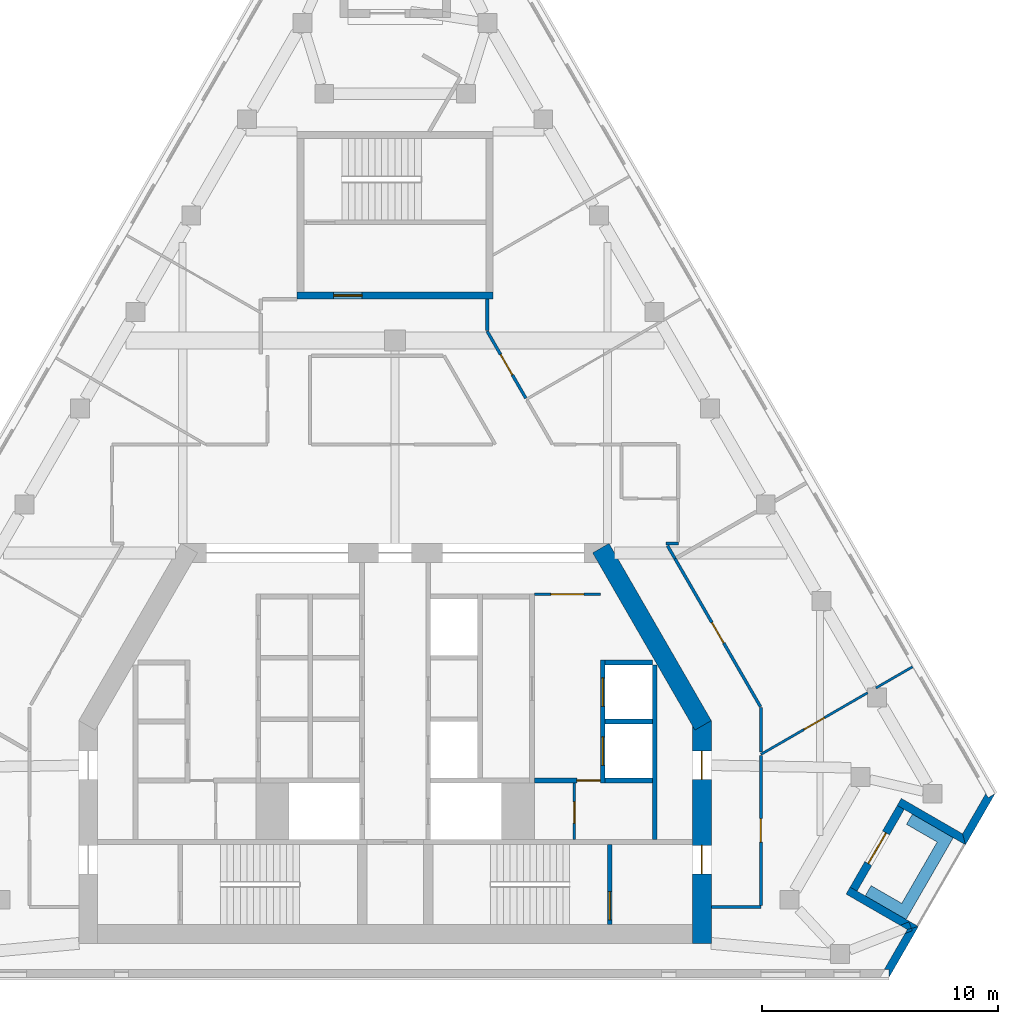
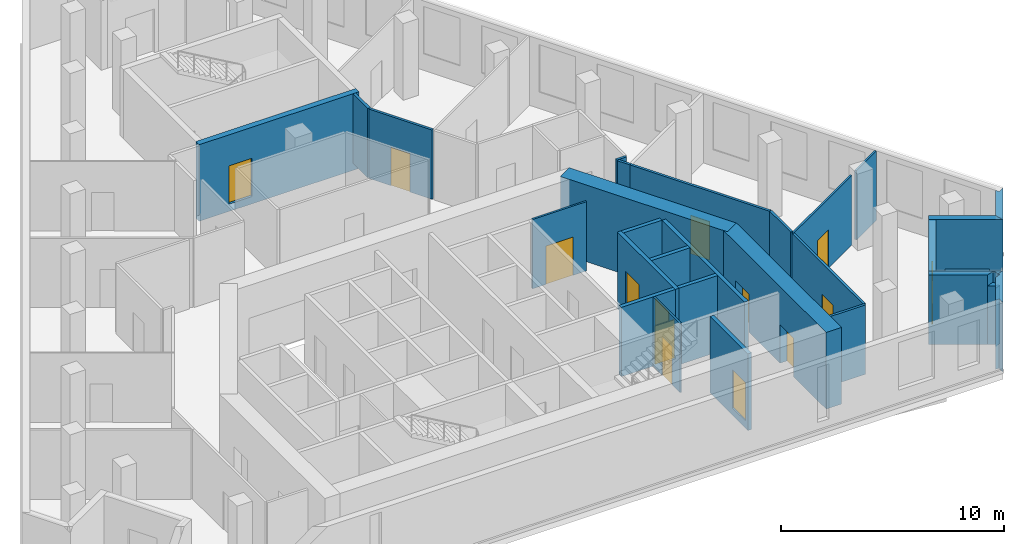
# One storey, part 5 of 9: 30 walls, 14 doors, 14 openings.
"""IFC4 building model written with IfcOpenShell, lengths in metres."""

import ifcopenshell
import ifcopenshell.guid

model = None  # the IFC model being written
_history = None  # IfcOwnerHistory: only IFC2X3 demands one
_inside = {}  # id of a spatial element -> (the spatial element, [elements in it])
_under = {}  # id of a project, library or spatial element -> (it, [spatial elements below it])
_declared = {}  # id of a project -> (the project, [libraries it declares])
_typed = {}  # id of a type object -> (the type object, [elements of that type])
_made_of = {}  # id of a material, layer set ... -> (it, [elements and type objects made of it])


def new_model(schema):
    """Start an empty IFC model of exactly this schema.

    Asked for "IFC4X3", IfcOpenShell would pick the latest addendum, in which some entities
    have other attributes; the version numbers below select the first issue.
    IFC2X3 requires an IfcOwnerHistory on every rooted entity: one is made here for all.
    """
    global model, _history
    if schema == "IFC4X3":
        model = ifcopenshell.file(schema_version=(4, 3, 0, 0))
    else:
        model = ifcopenshell.file(schema=schema)
    _inside.clear()
    _under.clear()
    _declared.clear()
    _typed.clear()
    _made_of.clear()
    _history = None
    if model.schema == "IFC2X3":
        org = make("IfcOrganization", Name="unknown")
        user = make(
            "IfcPersonAndOrganization",
            ThePerson=make("IfcPerson", FamilyName="unknown"),
            TheOrganization=org,
        )
        app = make(
            "IfcApplication",
            ApplicationDeveloper=org,
            Version="unknown",
            ApplicationFullName="unknown",
            ApplicationIdentifier="unknown",
        )
        _history = make(
            "IfcOwnerHistory",
            OwningUser=user,
            OwningApplication=app,
            ChangeAction="ADDED",
            CreationDate=0,
        )
    return model


def make(cls, **values):
    """One entity of the class cls with the attributes given. An attribute that is None is left unset."""
    return model.create_entity(
        cls, **{name: value for name, value in values.items() if value is not None}
    )


def rooted(cls, **values):
    """An entity with a GlobalId (a new one), such as an element, a storey or a relation."""
    return make(cls, GlobalId=ifcopenshell.guid.new(), OwnerHistory=_history, **values)


def si_unit(unit_type, name, prefix=None):
    """IfcSIUnit, for example si_unit("LENGTHUNIT", "METRE", prefix="MILLI")."""
    return make("IfcSIUnit", UnitType=unit_type, Prefix=prefix, Name=name)


def assignment(units):
    """IfcUnitAssignment: the units of a project."""
    return None if units is None else make("IfcUnitAssignment", Units=units)


def point(xyz):
    """IfcCartesianPoint."""
    return None if xyz is None else make("IfcCartesianPoint", Coordinates=xyz)


def direction(xyz):
    """IfcDirection."""
    return None if xyz is None else make("IfcDirection", DirectionRatios=xyz)


def frame(location, z_axis=None, x_axis=None):
    """IfcAxis2Placement3D, a coordinate frame: its origin and axes. An axis left out is left unset."""
    return make(
        "IfcAxis2Placement3D",
        Location=point(location),
        Axis=direction(z_axis),
        RefDirection=direction(x_axis),
    )


def frame_2d(location, x_axis=None):
    """IfcAxis2Placement2D, a coordinate frame in the plane: its origin and x axis."""
    return make(
        "IfcAxis2Placement2D", Location=point(location), RefDirection=direction(x_axis)
    )


def origin():
    """The frame at (0, 0, 0) with its axes left unset."""
    return frame((0.0, 0.0, 0.0))


def place(relative_to, where):
    """IfcLocalPlacement: puts the frame where relative to a parent placement (None: the world)."""
    return make(
        "IfcLocalPlacement", PlacementRelTo=relative_to, RelativePlacement=where
    )


def context(
    kind, dimensions, precision=None, world=None, true_north=None, identifier=None
):
    """IfcGeometricRepresentationContext, for example the 3D "Model" context."""
    return make(
        "IfcGeometricRepresentationContext",
        ContextIdentifier=identifier,
        ContextType=kind,
        CoordinateSpaceDimension=dimensions,
        Precision=precision,
        WorldCoordinateSystem=world,
        TrueNorth=true_north,
    )


def subcontext(parent, identifier, kind, view, scale=None):
    """IfcGeometricRepresentationSubContext, for example "Body" below "Model"."""
    return make(
        "IfcGeometricRepresentationSubContext",
        ContextIdentifier=identifier,
        ContextType=kind,
        ParentContext=parent,
        TargetScale=scale,
        TargetView=view,
    )


def project(units=None, contexts=None):
    """IfcProject with its units and contexts."""
    return rooted(
        "IfcProject",
        Name="project",
        RepresentationContexts=contexts,
        UnitsInContext=assignment(units),
    )


def spatial(cls, under=None, at=None, **own):
    """A site, building, storey or space (cls), placed at a placement, below another one or the project."""
    s = rooted(cls, ObjectPlacement=at, **own)
    if under is not None:
        _under.setdefault(under.id(), (under, []))[1].append(s)
    return s


def polyline(points):
    """IfcPolyline through the points."""
    return make("IfcPolyline", Points=[point(p) for p in points])


def profile(cls, at=None, kind="AREA", **sizes):
    """A parametric profile (cls). Its sizes go by their IFC names, for example OverallWidth=200.0."""
    return make(cls, ProfileType=kind, Position=at, **sizes)


def rectangle(**sizes):
    """IfcRectangleProfileDef."""
    return profile("IfcRectangleProfileDef", **sizes)


def outline(outer, holes=None, kind="AREA"):
    """IfcArbitraryClosedProfileDef: a profile drawn as a closed curve; with holes, ...WithVoids."""
    if holes is None:
        return make("IfcArbitraryClosedProfileDef", ProfileType=kind, OuterCurve=outer)
    return make(
        "IfcArbitraryProfileDefWithVoids",
        ProfileType=kind,
        OuterCurve=outer,
        InnerCurves=holes,
    )


def extrude(swept, where, along, depth):
    """IfcExtrudedAreaSolid: the profile swept, set in the frame where, extruded along a direction by depth."""
    return make(
        "IfcExtrudedAreaSolid",
        SweptArea=swept,
        Position=where,
        ExtrudedDirection=direction(along),
        Depth=depth,
    )


def shape(context_of_items, identifier, shape_type, items):
    """IfcShapeRepresentation: the items that make up one representation, for example the "Body"."""
    return make(
        "IfcShapeRepresentation",
        ContextOfItems=context_of_items,
        RepresentationIdentifier=identifier,
        RepresentationType=shape_type,
        Items=items,
    )


def material(Name=None, Category=None):
    """IfcMaterial."""
    return make("IfcMaterial", Name=Name, Category=Category)


def layer(
    of_material, thickness, ventilated=None, Name=None, Category=None, Priority=None
):
    """IfcMaterialLayer: one layer of a wall or slab, of a material (None: an air gap)."""
    return make(
        "IfcMaterialLayer",
        Material=of_material,
        LayerThickness=thickness,
        IsVentilated=ventilated,
        Name=Name,
        Category=Category,
        Priority=Priority,
    )


def layer_set(layers, Name=None):
    """IfcMaterialLayerSet."""
    return make("IfcMaterialLayerSet", MaterialLayers=layers, LayerSetName=Name)


def made_of(thing, what):
    """Note that an element or type object is made of a material, layer set ...; save() writes the relation."""
    if what is not None:
        _made_of.setdefault(what.id(), (what, []))[1].append(thing)
    return thing


def type_object(cls, material=None, **own):
    """A type object (cls), such as IfcWallType, which elements share."""
    return made_of(rooted(cls, **own), material)


def element(
    cls,
    number,
    at=None,
    inside=None,
    cuts=None,
    type_object=None,
    material=None,
    context=None,
    identifier="Body",
    shape_type=None,
    held_by="IfcProductDefinitionShape",
    body=None,
    shapes=None,
    **own,
):
    """One element of the class cls, such as IfcWall. Its Tag is "e" and its number.

    at: its placement. inside: the storey or other place that contains it. cuts: it is an
    opening in that element (IfcRelVoidsElement). A single representation is given by context,
    identifier, shape_type and body (its items); several are given by shapes. held_by: the class
    of the entity that holds the representations. save() writes the other relations.
    """
    e = rooted(cls, Tag="e%d" % number, ObjectPlacement=at, **own)
    if body is not None:
        shapes = [shape(context, identifier, shape_type, body)]
    if shapes is not None:
        e.Representation = make(held_by, Representations=shapes)
    if inside is not None:
        _inside.setdefault(inside.id(), (inside, []))[1].append(e)
    if cuts is not None:
        rooted(
            "IfcRelVoidsElement", RelatingBuildingElement=cuts, RelatedOpeningElement=e
        )
    if type_object is not None:
        _typed.setdefault(type_object.id(), (type_object, []))[1].append(e)
    return made_of(e, material)


def fill(opening, filler):
    """IfcRelFillsElement: the door or window that sits in an opening."""
    return rooted(
        "IfcRelFillsElement",
        RelatingOpeningElement=opening,
        RelatedBuildingElement=filler,
    )


def aggregate(whole, parts):
    """IfcRelAggregates: a whole, such as a stair, and the parts it consists of."""
    return rooted("IfcRelAggregates", RelatingObject=whole, RelatedObjects=parts)


def save(model, path):
    """Write the relations noted so far, then the file.

    IfcRelAggregates (storeys below a building ...), IfcRelContainedInSpatialStructure (elements
    in a storey), IfcRelDefinesByType, IfcRelAssociatesMaterial and IfcRelDeclares: one each for
    every whole, place, type object, material and project.
    """
    for whole, parts in _under.values():
        aggregate(whole, parts)
    for where, things in _inside.values():
        rooted(
            "IfcRelContainedInSpatialStructure",
            RelatedElements=things,
            RelatingStructure=where,
        )
    for kind, things in _typed.values():
        rooted("IfcRelDefinesByType", RelatedObjects=things, RelatingType=kind)
    for what, things in _made_of.values():
        rooted("IfcRelAssociatesMaterial", RelatedObjects=things, RelatingMaterial=what)
    for by, libraries in _declared.values():
        rooted("IfcRelDeclares", RelatingContext=by, RelatedDefinitions=libraries)
    model.write(path)


model = new_model("IFC4")

# Units and contexts
model_context = context("Model", 3, precision=1e-05, world=origin(), true_north=direction((0.0, 1.0)))
body_context = subcontext(model_context, "Body", "Model", "MODEL_VIEW")
ifc_project = project(units=[si_unit("LENGTHUNIT", "METRE"), si_unit("AREAUNIT", "SQUARE_METRE"), si_unit("VOLUMEUNIT", "CUBIC_METRE"), si_unit("PLANEANGLEUNIT", "RADIAN"), si_unit("MASSUNIT", "GRAM", prefix="KILO")], contexts=[model_context])

# Site, building, storey
site_placement = place(None, origin())
site = spatial("IfcSite", under=ifc_project, at=site_placement, CompositionType="ELEMENT")
building_placement = place(site_placement, origin())
building = spatial("IfcBuilding", under=site, at=building_placement, Name="Fogline Exchange Tower", CompositionType="ELEMENT")
storey_placement = place(building_placement, frame((0.0, 0.0, 287.699951171875)))
storey = spatial("IfcBuildingStorey", under=building, at=storey_placement, Name="L65", CompositionType="ELEMENT", Elevation=287.699951171875)

# Wall, opening, door
ifc_material_1 = material(Name="Blockwork partition", Category="masonry")
ifc_layer_1 = layer(ifc_material_1, 0.10009765625)
ifc_layer_set_1 = layer_set([ifc_layer_1], Name="CW10")
wall_type_1 = type_object("IfcWallType", Name="CW10", PredefinedType="PARTITIONING", material=ifc_layer_set_1)
wall_1_placement = place(storey_placement, frame((5.89990234375, 16.25, 0.0), z_axis=(0.0, 0.0, 1.0), x_axis=(1.0, 0.0, 0.0)))
wall_1 = element("IfcWall", 1, at=wall_1_placement, inside=storey, type_object=wall_type_1, Name="Lift lobby partition", PredefinedType="PARTITIONING", context=body_context, shape_type="SweptSolid", body=[
    extrude(rectangle(XDim=2.800048828125, YDim=0.10009765625, at=frame_2d((1.39990234375, 0.0))), origin(), (0.0, 0.0, 1.0), 3.800048828125),
])
opening_1_placement = place(wall_1_placement, frame((0.699951171875, 0.0, 0.0)))
opening_1 = element("IfcOpeningElement", 2, at=opening_1_placement, cuts=wall_1, Name="Opening T20-C017", PredefinedType="OPENING", context=body_context, shape_type="SweptSolid", body=[
    extrude(rectangle(XDim=1.39990234375, YDim=2.10009765625, at=frame_2d((0.699951171875, 1.050048828125))), frame((0.0, 0.06005859375, 0.0), z_axis=(0.0, -1.0, 0.0), x_axis=(1.0, 0.0, 0.0)), (0.0, 0.0, 1.0), 0.1201171875),
])
ifc_material_2 = material(Name="Steel and timber fire door", Category="steel")
door_type_1 = type_object("IfcDoorType", Name="D-LB1", OperationType="DOUBLE_DOOR_SINGLE_SWING", PredefinedType="DOOR", material=ifc_material_2)
door_1_placement = place(opening_1_placement, origin())
door_1 = element("IfcDoor", 3, at=door_1_placement, inside=storey, type_object=door_type_1, Name="Door to lift lobby", OperationType="DOUBLE_DOOR_SINGLE_SWING", OverallHeight=2.10009765625, OverallWidth=1.39990234375, PredefinedType="DOOR", context=body_context, shape_type="SweptSolid", body=[
    extrude(rectangle(XDim=1.39990234375, YDim=2.10009765625, at=frame_2d((0.699951171875, 1.050048828125))), frame((0.0, 0.02490234375, 0.0), z_axis=(0.0, -1.0, 0.0), x_axis=(1.0, 0.0, 0.0)), (0.0, 0.0, 1.0), 0.050048828125),
])
fill(opening_1, door_1)

wall_2_placement = place(storey_placement, frame((7.60009765625, 5.85009765625, 0.0), z_axis=(0.0, 0.0, 1.0), x_axis=(0.0, 1.0, 0.0)))
wall_2 = element("IfcWall", 4, at=wall_2_placement, inside=storey, type_object=wall_type_1, Name="WC partition", PredefinedType="PARTITIONING", context=body_context, shape_type="SweptSolid", body=[
    extrude(rectangle(XDim=2.39990234375, YDim=0.10009765625, at=frame_2d((1.199951171875, 0.0))), origin(), (0.0, 0.0, 1.0), 3.800048828125),
])
opening_2_placement = place(wall_2_placement, frame((0.699951171875, 0.0, 0.0)))
opening_2 = element("IfcOpeningElement", 5, at=opening_2_placement, cuts=wall_2, Name="Opening T20-C019", PredefinedType="OPENING", context=body_context, shape_type="SweptSolid", body=[
    extrude(rectangle(XDim=0.89990234375, YDim=2.10009765625, at=frame_2d((0.449951171875, 1.050048828125))), frame((0.0, 0.06005859375, 0.0), z_axis=(0.0, -1.0, 0.0), x_axis=(1.0, 0.0, 0.0)), (0.0, 0.0, 1.0), 0.1201171875),
])
door_type_2 = type_object("IfcDoorType", Name="D-CS1", OperationType="SINGLE_SWING_RIGHT", PredefinedType="DOOR", material=ifc_material_2)
door_2_placement = place(opening_2_placement, origin())
door_2 = element("IfcDoor", 6, at=door_2_placement, inside=storey, type_object=door_type_2, Name="Door to Cleaner's Store", OperationType="SINGLE_SWING_LEFT", OverallHeight=2.10009765625, OverallWidth=0.89990234375, PredefinedType="DOOR", context=body_context, shape_type="SweptSolid", body=[
    extrude(rectangle(XDim=0.89990234375, YDim=2.10009765625, at=frame_2d((0.449951171875, 1.050048828125))), frame((0.0, 0.02490234375, 0.0), z_axis=(0.0, -1.0, 0.0), x_axis=(1.0, 0.0, 0.0)), (0.0, 0.0, 1.0), 0.050048828125),
])
fill(opening_2, door_2)

# Wall
ifc_material_3 = material(Name="Concrete C40", Category="concrete")
ifc_layer_2 = layer(ifc_material_3, 0.199951171875)
ifc_layer_set_2 = layer_set([ifc_layer_2], Name="CW20")
wall_type_2 = type_object("IfcWallType", Name="CW20", PredefinedType="SOLIDWALL", material=ifc_layer_set_2)
wall_3_placement = place(storey_placement, frame((11.0, 5.85009765625, 0.0), z_axis=(0.0, 0.0, 1.0), x_axis=(0.0, 1.0, 0.0)))
element("IfcWall", 7, at=wall_3_placement, inside=storey, type_object=wall_type_2, Name="Service room wall", PredefinedType="SOLIDWALL", context=body_context, shape_type="SweptSolid", body=[
    extrude(rectangle(XDim=7.39990234375, YDim=0.199951171875, at=frame_2d((3.699951171875, 0.0))), origin(), (0.0, 0.0, 1.0), 3.800048828125),
])

# Wall, opening, door
wall_4_placement = place(storey_placement, frame((5.89990234375, 8.35009765625, 0.0), z_axis=(0.0, 0.0, 1.0), x_axis=(1.0, 0.0, 0.0)))
wall_4 = element("IfcWall", 8, at=wall_4_placement, inside=storey, type_object=wall_type_2, Name="WC wall", PredefinedType="SOLIDWALL", context=body_context, shape_type="SweptSolid", body=[
    extrude(rectangle(XDim=2.800048828125, YDim=0.199951171875, at=frame_2d((1.39990234375, 0.0))), origin(), (0.0, 0.0, 1.0), 3.800048828125),
])
opening_3_placement = place(wall_4_placement, frame((1.800048828125, 0.0, 0.0)))
opening_3 = element("IfcOpeningElement", 9, at=opening_3_placement, cuts=wall_4, Name="Opening T20-C018", PredefinedType="OPENING", context=body_context, shape_type="SweptSolid", body=[
    extrude(rectangle(XDim=1.0, YDim=2.10009765625, at=frame_2d((0.5, 1.050048828125))), frame((0.0, 0.10986328125, 0.0), z_axis=(0.0, -1.0, 0.0), x_axis=(1.0, 0.0, 0.0)), (0.0, 0.0, 1.0), 0.219970703125),
])
door_type_3 = type_object("IfcDoorType", Name="D-WC1", OperationType="SINGLE_SWING_LEFT", PredefinedType="DOOR", material=ifc_material_2)
door_3_placement = place(opening_3_placement, frame((1.0, 0.0, 0.0), z_axis=(0.0, 0.0, 1.0), x_axis=(-1.0, 0.0, 0.0)))
door_3 = element("IfcDoor", 10, at=door_3_placement, inside=storey, type_object=door_type_3, Name="Door to Women's WC", OperationType="SINGLE_SWING_LEFT", OverallHeight=2.10009765625, OverallWidth=1.0, PredefinedType="DOOR", context=body_context, shape_type="SweptSolid", body=[
    extrude(rectangle(XDim=1.0, YDim=2.10009765625, at=frame_2d((0.5, 1.050048828125))), frame((0.0, 0.02490234375, 0.0), z_axis=(0.0, -1.0, 0.0), x_axis=(1.0, 0.0, 0.0)), (0.0, 0.0, 1.0), 0.050048828125),
])
fill(opening_3, door_3)

ifc_layer_3 = layer(ifc_material_3, 0.199951171875)
ifc_layer_set_3 = layer_set([ifc_layer_3], Name="CW20R")
wall_type_3 = type_object("IfcWallType", Name="CW20R", PredefinedType="SOLIDWALL", material=ifc_layer_set_3)
wall_5_placement = place(storey_placement, frame((9.10009765625, 2.25, -0.39990234375), z_axis=(0.0, 0.0, 1.0), x_axis=(0.0, 1.0, 0.0)))
wall_5 = element("IfcWall", 11, at=wall_5_placement, inside=storey, type_object=wall_type_3, Name="Stair enclosure wall", PredefinedType="SOLIDWALL", context=body_context, shape_type="SweptSolid", body=[
    extrude(rectangle(XDim=3.39990234375, YDim=0.199951171875, at=frame_2d((1.699951171875, 0.0))), origin(), (0.0, 0.0, 1.0), 4.199951171875),
])
opening_4_placement = place(wall_5_placement, frame((0.199951171875, 0.0, 0.39990234375)))
opening_4 = element("IfcOpeningElement", 12, at=opening_4_placement, cuts=wall_5, Name="Opening T20-C021", PredefinedType="OPENING", context=body_context, shape_type="SweptSolid", body=[
    extrude(rectangle(XDim=1.199951171875, YDim=2.10009765625, at=frame_2d((0.60009765625, 1.050048828125))), frame((0.0, 0.10986328125, 0.0), z_axis=(0.0, -1.0, 0.0), x_axis=(1.0, 0.0, 0.0)), (0.0, 0.0, 1.0), 0.219970703125),
])
door_type_4 = type_object("IfcDoorType", Name="D-ST1", OperationType="SINGLE_SWING_LEFT", PredefinedType="DOOR", material=ifc_material_2)
door_4_placement = place(opening_4_placement, origin())
door_4 = element("IfcDoor", 13, at=door_4_placement, inside=storey, type_object=door_type_4, Name="Stair door ST2", OperationType="SINGLE_SWING_LEFT", OverallHeight=2.10009765625, OverallWidth=1.199951171875, PredefinedType="DOOR", context=body_context, shape_type="SweptSolid", body=[
    extrude(rectangle(XDim=1.199951171875, YDim=2.10009765625, at=frame_2d((0.60009765625, 1.050048828125))), frame((0.0, 0.02490234375, 0.0), z_axis=(0.0, -1.0, 0.0), x_axis=(1.0, 0.0, 0.0)), (0.0, 0.0, 1.0), 0.050048828125),
])
fill(opening_4, door_4)

# Wall, openings, doors
ifc_layer_4 = layer(ifc_material_3, 0.199951171875)
ifc_layer_set_4 = layer_set([ifc_layer_4], Name="CW20S")
wall_type_4 = type_object("IfcWallType", Name="CW20S", PredefinedType="SOLIDWALL", material=ifc_layer_set_4)
wall_6_placement = place(storey_placement, frame((8.800048828125, 8.25, -0.39990234375), z_axis=(0.0, 0.0, 1.0), x_axis=(0.0, 1.0, 0.0)))
wall_6 = element("IfcWall", 14, at=wall_6_placement, inside=storey, type_object=wall_type_4, Name="Lift shaft wall", PredefinedType="SOLIDWALL", context=body_context, shape_type="SweptSolid", body=[
    extrude(rectangle(XDim=5.199951171875, YDim=0.199951171875, at=frame_2d((2.60009765625, 0.0))), origin(), (0.0, 0.0, 1.0), 4.199951171875),
])
opening_5_placement = place(wall_6_placement, frame((0.75, 0.0, 0.39990234375)))
opening_5 = element("IfcOpeningElement", 15, at=opening_5_placement, cuts=wall_6, Name="Opening T20-LD02", PredefinedType="OPENING", context=body_context, shape_type="SweptSolid", body=[
    extrude(rectangle(XDim=1.199951171875, YDim=2.10009765625, at=frame_2d((0.60009765625, 1.050048828125))), frame((0.0, 0.10986328125, 0.0), z_axis=(0.0, -1.0, 0.0), x_axis=(1.0, 0.0, 0.0)), (0.0, 0.0, 1.0), 0.219970703125),
])
opening_6_placement = place(wall_6_placement, frame((3.25, 0.0, 0.39990234375)))
opening_6 = element("IfcOpeningElement", 16, at=opening_6_placement, cuts=wall_6, Name="Opening T20-LD03", PredefinedType="OPENING", context=body_context, shape_type="SweptSolid", body=[
    extrude(rectangle(XDim=1.199951171875, YDim=2.10009765625, at=frame_2d((0.60009765625, 1.050048828125))), frame((0.0, 0.10986328125, 0.0), z_axis=(0.0, -1.0, 0.0), x_axis=(1.0, 0.0, 0.0)), (0.0, 0.0, 1.0), 0.219970703125),
])
door_type_5 = type_object("IfcDoorType", Name="LD1", OperationType="SLIDING_TO_LEFT", PredefinedType="DOOR", material=ifc_material_2)
door_5_placement = place(opening_5_placement, origin())
door_5 = element("IfcDoor", 17, at=door_5_placement, inside=storey, type_object=door_type_5, Name="Landing door HR1", OperationType="SLIDING_TO_LEFT", OverallHeight=2.10009765625, OverallWidth=1.199951171875, PredefinedType="DOOR", context=body_context, shape_type="SweptSolid", body=[
    extrude(rectangle(XDim=1.199951171875, YDim=2.10009765625, at=frame_2d((0.60009765625, 1.050048828125))), frame((0.0, 0.02490234375, 0.0), z_axis=(0.0, -1.0, 0.0), x_axis=(1.0, 0.0, 0.0)), (0.0, 0.0, 1.0), 0.050048828125),
])
fill(opening_5, door_5)
door_6_placement = place(opening_6_placement, origin())
door_6 = element("IfcDoor", 18, at=door_6_placement, inside=storey, type_object=door_type_5, Name="Landing door HR2", OperationType="SLIDING_TO_LEFT", OverallHeight=2.10009765625, OverallWidth=1.199951171875, PredefinedType="DOOR", context=body_context, shape_type="SweptSolid", body=[
    extrude(rectangle(XDim=1.199951171875, YDim=2.10009765625, at=frame_2d((0.60009765625, 1.050048828125))), frame((0.0, 0.02490234375, 0.0), z_axis=(0.0, -1.0, 0.0), x_axis=(1.0, 0.0, 0.0)), (0.0, 0.0, 1.0), 0.050048828125),
])
fill(opening_6, door_6)

# Walls
for number, where, z_axis, x_axis, name in (
    (19, (8.89990234375, 8.35009765625, -0.39990234375), (0.0, 0.0, 1.0), (1.0, 0.0, 0.0), "Lift shaft wall"),
    (20, (8.89990234375, 10.85009765625, -0.39990234375), (0.0, 0.0, 1.0), (1.0, 0.0, 0.0), "Lift shaft wall"),
    (21, (8.89990234375, 13.35009765625, -0.39990234375), (0.0, 0.0, 1.0), (1.0, 0.0, 0.0), "Lift shaft wall"),
):
    element("IfcWall", number, at=place(storey_placement, frame(where, z_axis=z_axis, x_axis=x_axis)), inside=storey, type_object=wall_type_4, Name=name, PredefinedType="SOLIDWALL", context=body_context, shape_type="SweptSolid", body=[
        extrude(rectangle(XDim=2.0, YDim=0.199951171875, at=frame_2d((1.0, 0.0))), origin(), (0.0, 0.0, 1.0), 4.199951171875),
    ])

# Wall, opening, door
ifc_layer_5 = layer(ifc_material_3, 0.300048828125)
ifc_layer_set_5 = layer_set([ifc_layer_5], Name="CW30")
wall_type_5 = type_object("IfcWallType", Name="CW30", PredefinedType="SOLIDWALL", material=ifc_layer_set_5)
wall_7_placement = place(storey_placement, frame((-4.14990234375, 28.906982421875, -0.39990234375), z_axis=(0.0, 0.0, 1.0), x_axis=(1.0, 0.0, 0.0)))
wall_7 = element("IfcWall", 22, at=wall_7_placement, inside=storey, type_object=wall_type_5, Name="Stair enclosure wall ST3", PredefinedType="SOLIDWALL", context=body_context, shape_type="SweptSolid", body=[
    extrude(rectangle(XDim=8.2998046875, YDim=0.300048828125, at=frame_2d((4.14990234375, 0.0))), origin(), (0.0, 0.0, 1.0), 4.199951171875),
])
opening_7_placement = place(wall_7_placement, frame((1.550048828125, 0.0, 0.39990234375)))
opening_7 = element("IfcOpeningElement", 23, at=opening_7_placement, cuts=wall_7, Name="Opening T20-C026", PredefinedType="OPENING", context=body_context, shape_type="SweptSolid", body=[
    extrude(rectangle(XDim=1.199951171875, YDim=2.10009765625, at=frame_2d((0.60009765625, 1.050048828125))), frame((0.0, 0.16015625, 0.0), z_axis=(0.0, -1.0, 0.0), x_axis=(1.0, 0.0, 0.0)), (0.0, 0.0, 1.0), 0.320068359375),
])
door_type_6 = type_object("IfcDoorType", Name="D-FR1", OperationType="SINGLE_SWING_RIGHT", PredefinedType="DOOR", material=ifc_material_2)
door_7_placement = place(opening_7_placement, origin())
door_7 = element("IfcDoor", 24, at=door_7_placement, inside=storey, type_object=door_type_6, Name="Front room door ST3", OperationType="SINGLE_SWING_LEFT", OverallHeight=2.10009765625, OverallWidth=1.199951171875, PredefinedType="DOOR", context=body_context, shape_type="SweptSolid", body=[
    extrude(rectangle(XDim=1.199951171875, YDim=2.10009765625, at=frame_2d((0.60009765625, 1.050048828125))), frame((0.0, 0.02490234375, 0.0), z_axis=(0.0, -1.0, 0.0), x_axis=(1.0, 0.0, 0.0)), (0.0, 0.0, 1.0), 0.050048828125),
])
fill(opening_7, door_7)

# Walls
ifc_material_4 = material(Name="Brick masonry", Category="masonry")
ifc_layer_6 = layer(ifc_material_4, 0.340087890625)
ifc_layer_set_6 = layer_set([ifc_layer_6], Name="FW1")
wall_type_6 = type_object("IfcWallType", Name="FW1", PredefinedType="SOLIDWALL", material=ifc_layer_set_6)
wall_8_placement = place(storey_placement, origin())
element("IfcWall", 25, at=wall_8_placement, inside=storey, type_object=wall_type_6, Name="Brick wall L65 SE-c1", PredefinedType="SOLIDWALL", context=body_context, shape_type="SweptSolid", body=[
    extrude(outline(polyline([(21.709716796875, 2.041015625), (21.8818359375, 2.087158203125), (21.919921875, 1.99072265625), (21.610107421875, 1.86865234375), (21.709716796875, 2.041015625)])), origin(), (0.0, 0.0, 1.0), 3.199951171875),
])
wall_9_placement = place(storey_placement, origin())
element("IfcWall", 26, at=wall_9_placement, inside=storey, type_object=wall_type_6, Name="Brick wall L65 SE-c1", PredefinedType="SOLIDWALL", context=body_context, shape_type="SweptSolid", body=[
    extrude(outline(polyline([(20.924560546875, -0.001220703125), (20.924072265625, -0.0009765625), (20.924072265625, 0.33935546875), (20.727294921875, 0.33935546875), (21.610107421875, 1.86865234375), (21.919921875, 1.99072265625), (21.8818359375, 2.087158203125), (22.175537109375, 2.166015625), (22.175537109375, 2.165771484375), (20.924560546875, -0.001220703125)])), origin(), (0.0, 0.0, 1.0), 3.800048828125),
])
wall_10_placement = place(storey_placement, origin())
element("IfcWall", 27, at=wall_10_placement, inside=storey, type_object=wall_type_6, Name="Brick wall L65 SE-s1", PredefinedType="SOLIDWALL", context=body_context, shape_type="SweptSolid", body=[
    extrude(outline(polyline([(21.7099609375, 2.0400390625), (21.403076171875, 2.217041015625), (21.7734375, 2.36279296875), (21.88232421875, 2.086181640625), (21.7099609375, 2.0400390625)])), origin(), (0.0, 0.0, 1.0), 3.199951171875),
])
wall_11_placement = place(storey_placement, origin())
element("IfcWall", 28, at=wall_11_placement, inside=storey, type_object=wall_type_6, Name="Brick wall L65 SE-s1", PredefinedType="SOLIDWALL", context=body_context, shape_type="SweptSolid", body=[
    extrude(outline(polyline([(19.28173828125, 3.8359375), (19.576904296875, 3.66552734375), (22.17578125, 2.1650390625), (22.17578125, 2.164794921875), (21.88232421875, 2.086181640625), (21.7734375, 2.36279296875), (21.403076171875, 2.217041015625), (19.111328125, 3.540283203125), (19.28173828125, 3.8359375)])), origin(), (0.0, 0.0, 1.0), 3.800048828125),
])

# Wall, opening, door
wall_12_placement = place(storey_placement, frame((19.42919921875, 3.75, 0.0), z_axis=(0.0, 0.0, 1.0), x_axis=(0.49999894854, 0.866026010844, 0.0)))
wall_12 = element("IfcWall", 29, at=wall_12_placement, inside=storey, type_object=wall_type_6, Name="Brick wall L65 SE-bk", PredefinedType="SOLIDWALL", context=body_context, shape_type="SweptSolid", body=[
    extrude(rectangle(XDim=4.0, YDim=0.340087890625, at=frame_2d((2.0, 0.0))), origin(), (0.0, 0.0, 1.0), 3.800048828125),
])
opening_8_placement = place(wall_12_placement, frame((1.25, 0.0, 0.0)))
opening_8 = element("IfcOpeningElement", 30, at=opening_8_placement, cuts=wall_12, Name="Opening T20-E081", PredefinedType="OPENING", context=body_context, shape_type="SweptSolid", body=[
    extrude(rectangle(XDim=1.5, YDim=2.39990234375, at=frame_2d((0.75, 1.199951171875))), frame((0.0, 0.18017578125, 0.0), z_axis=(0.0, -1.0, 0.0), x_axis=(1.0, 0.0, 0.0)), (0.0, 0.0, 1.0), 0.360107421875),
])
ifc_material_5 = material(Name="Aluminium and glass", Category="aluminium")
door_type_7 = type_object("IfcDoorType", Name="ED4", OperationType="SINGLE_SWING_LEFT", PredefinedType="DOOR", material=ifc_material_5)
door_8_placement = place(opening_8_placement, frame((1.5, 0.0, 0.0), z_axis=(0.0, 0.0, 1.0), x_axis=(-1.0, 0.0, 0.0)))
door_8 = element("IfcDoor", 31, at=door_8_placement, inside=storey, type_object=door_type_7, Name="Balcony door L65 SE", OperationType="DOUBLE_DOOR_SINGLE_SWING", OverallHeight=2.39990234375, OverallWidth=1.5, PredefinedType="DOOR", context=body_context, shape_type="SweptSolid", body=[
    extrude(rectangle(XDim=1.5, YDim=2.39990234375, at=frame_2d((0.75, 1.199951171875))), frame((0.0, 0.02490234375, 0.0), z_axis=(0.0, -1.0, 0.0), x_axis=(1.0, 0.0, 0.0)), (0.0, 0.0, 1.0), 0.050048828125),
])
fill(opening_8, door_8)

# Walls
wall_13_placement = place(storey_placement, origin())
element("IfcWall", 32, at=wall_13_placement, inside=storey, type_object=wall_type_6, Name="Brick wall L65 SE-s2", PredefinedType="SOLIDWALL", context=body_context, shape_type="SweptSolid", body=[
    extrude(outline(polyline([(24.17529296875, 5.628173828125), (21.576171875, 7.128662109375), (21.28125, 7.298828125), (21.451904296875, 7.594482421875), (24.050537109375, 6.093994140625), (24.175537109375, 5.62841796875), (24.17529296875, 5.628173828125)])), origin(), (0.0, 0.0, 1.0), 3.800048828125),
])
wall_14_placement = place(storey_placement, origin())
element("IfcWall", 33, at=wall_14_placement, inside=storey, type_object=wall_type_6, Name="Brick wall L65 SE-c2", PredefinedType="SOLIDWALL", context=body_context, shape_type="SweptSolid", body=[
    extrude(outline(polyline([(25.031982421875, 7.79541015625), (25.13037109375, 7.625), (25.42529296875, 7.79541015625), (25.425537109375, 7.794921875), (24.174560546875, 5.6279296875), (24.17431640625, 5.6279296875), (24.049560546875, 6.09375), (25.031982421875, 7.79541015625)])), origin(), (0.0, 0.0, 1.0), 3.800048828125),
])
ifc_material_6 = material(Name="Concrete C30", Category="concrete")
ifc_layer_7 = layer(ifc_material_6, 0.199951171875)
ifc_layer_set_7 = layer_set([ifc_layer_7], Name="PL1")
wall_type_7 = type_object("IfcWallType", Name="PL1", PredefinedType="USERDEFINED", material=ifc_layer_set_7)
wall_15_placement = place(storey_placement, origin())
element("IfcWall", 34, at=wall_15_placement, inside=storey, type_object=wall_type_7, Name="PLANTER balcony L65 SE", ObjectType="PLANTER", PredefinedType="USERDEFINED", context=body_context, shape_type="SweptSolid", body=[
    extrude(outline(polyline([(19.9228515625, 3.465087890625), (21.221923828125, 2.715087890625), (21.221923828125, 2.715087890625), (21.655029296875, 2.465087890625), (23.405029296875, 5.49609375), (23.655029296875, 5.92919921875), (21.9228515625, 6.92919921875), (21.6728515625, 6.49609375), (22.971923828125, 5.74609375), (21.471923828125, 3.148193359375), (20.1728515625, 3.898193359375), (19.9228515625, 3.465087890625)])), origin(), (0.0, 0.0, 1.0), 1.10009765625),
])

# Wall, opening, door
ifc_material_7 = material(Name="Plasterboard partition, 2 layers each side on steel studs", Category="steel")
ifc_layer_8 = layer(ifc_material_7, 0.10009765625)
ifc_layer_set_8 = layer_set([ifc_layer_8], Name="PW1")
wall_type_8 = type_object("IfcWallType", Name="PW1", PredefinedType="PARTITIONING", material=ifc_layer_set_8)
wall_16_placement = place(storey_placement, frame((15.5, 9.4599609375, 0.0), z_axis=(0.0, 0.0, 1.0), x_axis=(0.866036909293, 0.499980071345, 0.0)))
wall_16 = element("IfcWall", 35, at=wall_16_placement, inside=storey, type_object=wall_type_8, Name="wall-L65-W046", PredefinedType="PARTITIONING", context=body_context, shape_type="SweptSolid", body=[
    extrude(rectangle(XDim=5.222900390625, YDim=0.10009765625, at=frame_2d((2.611328125, 0.0))), origin(), (0.0, 0.0, 1.0), 3.800048828125),
])
opening_9_placement = place(wall_16_placement, frame((2.111328125, 0.0, 0.0)))
opening_9 = element("IfcOpeningElement", 36, at=opening_9_placement, cuts=wall_16, Name="Opening T20-D016", PredefinedType="OPENING", context=body_context, shape_type="SweptSolid", body=[
    extrude(rectangle(XDim=1.0, YDim=2.10009765625, at=frame_2d((0.5, 1.050048828125))), frame((0.0, 0.06005859375, 0.0), z_axis=(0.0, -1.0, 0.0), x_axis=(1.0, 0.0, 0.0)), (0.0, 0.0, 1.0), 0.1201171875),
])
ifc_material_8 = material(Name="Timber door leaf with steel frame", Category="steel")
door_type_8 = type_object("IfcDoorType", Name="D1", OperationType="SINGLE_SWING_LEFT", PredefinedType="DOOR", material=ifc_material_8)
door_9_placement = place(opening_9_placement, origin())
door_9 = element("IfcDoor", 37, at=door_9_placement, inside=storey, type_object=door_type_8, Name="door-L65-D016", OperationType="SINGLE_SWING_LEFT", OverallHeight=2.10009765625, OverallWidth=1.0, PredefinedType="DOOR", context=body_context, shape_type="SweptSolid", body=[
    extrude(rectangle(XDim=1.0, YDim=2.10009765625, at=frame_2d((0.5, 1.050048828125))), frame((0.0, 0.02490234375, 0.0), z_axis=(0.0, -1.0, 0.0), x_axis=(1.0, 0.0, 0.0)), (0.0, 0.0, 1.0), 0.050048828125),
])
fill(opening_9, door_9)

# Walls
wall_17_placement = place(storey_placement, frame((20.37939453125, 12.277099609375, 0.0), z_axis=(0.0, 0.0, 1.0), x_axis=(0.866058244174, 0.499943114462, 0.0)))
element("IfcWall", 38, at=wall_17_placement, inside=storey, type_object=wall_type_8, Name="wall-L65-W047", PredefinedType="PARTITIONING", context=body_context, shape_type="SweptSolid", body=[
    extrude(rectangle(XDim=1.787841796875, YDim=0.10009765625, at=frame_2d((0.89404296875, 0.0))), origin(), (0.0, 0.0, 1.0), 3.800048828125),
])
ifc_material_9 = material(Name="Plasterboard corridor partition with mineral wool, 2 layers each side")
ifc_layer_9 = layer(ifc_material_9, 0.125)
ifc_layer_set_9 = layer_set([ifc_layer_9], Name="PW2")
wall_type_9 = type_object("IfcWallType", Name="PW2", PredefinedType="PARTITIONING", material=ifc_layer_set_9)
wall_18_placement = place(storey_placement, frame((11.54443359375, 18.305908203125, 0.0), z_axis=(0.0, 0.0, 1.0), x_axis=(0.499920965119, -0.866071029786, 0.0)))
element("IfcWall", 39, at=wall_18_placement, inside=storey, type_object=wall_type_9, Name="wall-L65-W001", PredefinedType="PARTITIONING", context=body_context, shape_type="SweptSolid", body=[
    extrude(rectangle(XDim=0.638671875, YDim=0.125, at=frame_2d((0.3193359375, 0.0))), origin(), (0.0, 0.0, 1.0), 3.800048828125),
])

# Wall, opening, door
wall_19_placement = place(storey_placement, frame((15.5, 9.416015625, 0.0), z_axis=(0.0, 0.0, 1.0), x_axis=(0.0, -1.0, 0.0)))
wall_19 = element("IfcWall", 40, at=wall_19_placement, inside=storey, type_object=wall_type_9, Name="wall-L65-W002", PredefinedType="PARTITIONING", context=body_context, shape_type="SweptSolid", body=[
    extrude(rectangle(XDim=6.353515625, YDim=0.125, at=frame_2d((3.1767578125, 0.0))), origin(), (0.0, 0.0, 1.0), 3.800048828125),
])
opening_10_placement = place(wall_19_placement, frame((2.6767578125, 0.0, 0.0)))
opening_10 = element("IfcOpeningElement", 41, at=opening_10_placement, cuts=wall_19, Name="Opening T20-D001", PredefinedType="OPENING", context=body_context, shape_type="SweptSolid", body=[
    extrude(rectangle(XDim=1.0, YDim=2.10009765625, at=frame_2d((0.5, 1.050048828125))), frame((0.0, 0.072509765625, 0.0), z_axis=(0.0, -1.0, 0.0), x_axis=(1.0, 0.0, 0.0)), (0.0, 0.0, 1.0), 0.14501953125),
])
ifc_material_10 = material(Name="Fire-rated timber door leaf with steel frame", Category="steel")
door_type_9 = type_object("IfcDoorType", Name="D3", OperationType="SINGLE_SWING_LEFT", PredefinedType="DOOR", material=ifc_material_10)
door_10_placement = place(opening_10_placement, origin())
door_10 = element("IfcDoor", 42, at=door_10_placement, inside=storey, type_object=door_type_9, Name="door-L65-D001", OperationType="SINGLE_SWING_LEFT", OverallHeight=2.10009765625, OverallWidth=1.0, PredefinedType="DOOR", context=body_context, shape_type="SweptSolid", body=[
    extrude(rectangle(XDim=1.0, YDim=2.10009765625, at=frame_2d((0.5, 1.050048828125))), frame((0.0, 0.02490234375, 0.0), z_axis=(0.0, -1.0, 0.0), x_axis=(1.0, 0.0, 0.0)), (0.0, 0.0, 1.0), 0.050048828125),
])
fill(opening_10, door_10)

# Wall
wall_20_placement = place(storey_placement, frame((15.5, 3.0, 0.0), z_axis=(0.0, 0.0, 1.0), x_axis=(-1.0, 0.0, 0.0)))
element("IfcWall", 43, at=wall_20_placement, inside=storey, type_object=wall_type_9, Name="wall-L65-W003", PredefinedType="PARTITIONING", context=body_context, shape_type="SweptSolid", body=[
    extrude(rectangle(XDim=2.10009765625, YDim=0.125, at=frame_2d((1.050048828125, 0.0))), origin(), (0.0, 0.0, 1.0), 3.800048828125),
])

# Wall, opening, door
wall_21_placement = place(storey_placement, frame((11.86376953125, 17.752685546875, 0.0), z_axis=(0.0, 0.0, 1.0), x_axis=(0.49998997746, -0.866031190223, 0.0)))
wall_21 = element("IfcWall", 44, at=wall_21_placement, inside=storey, type_object=wall_type_9, Name="wall-L65-W004", PredefinedType="PARTITIONING", context=body_context, shape_type="SweptSolid", body=[
    extrude(rectangle(XDim=7.241455078125, YDim=0.125, at=frame_2d((3.62060546875, 0.0))), origin(), (0.0, 0.0, 1.0), 3.800048828125),
])
opening_11_placement = place(wall_21_placement, frame((3.12060546875, 0.0, 0.0)))
opening_11 = element("IfcOpeningElement", 45, at=opening_11_placement, cuts=wall_21, Name="Opening T20-D002", PredefinedType="OPENING", context=body_context, shape_type="SweptSolid", body=[
    extrude(rectangle(XDim=1.0, YDim=2.10009765625, at=frame_2d((0.5, 1.050048828125))), frame((0.0, 0.072509765625, 0.0), z_axis=(0.0, -1.0, 0.0), x_axis=(1.0, 0.0, 0.0)), (0.0, 0.0, 1.0), 0.14501953125),
])
door_11_placement = place(opening_11_placement, origin())
door_11 = element("IfcDoor", 46, at=door_11_placement, inside=storey, type_object=door_type_9, Name="door-L65-D002", OperationType="SINGLE_SWING_LEFT", OverallHeight=2.10009765625, OverallWidth=1.0, PredefinedType="DOOR", context=body_context, shape_type="SweptSolid", body=[
    extrude(rectangle(XDim=1.0, YDim=2.10009765625, at=frame_2d((0.5, 1.050048828125))), frame((0.0, 0.02490234375, 0.0), z_axis=(0.0, -1.0, 0.0), x_axis=(1.0, 0.0, 0.0)), (0.0, 0.0, 1.0), 0.050048828125),
])
fill(opening_11, door_11)

# Walls
wall_22_placement = place(storey_placement, frame((15.5, 11.45458984375, 0.0), z_axis=(0.0, 0.0, 1.0), x_axis=(0.0, -1.0, 0.0)))
element("IfcWall", 47, at=wall_22_placement, inside=storey, type_object=wall_type_9, Name="wall-L65-W005", PredefinedType="PARTITIONING", context=body_context, shape_type="SweptSolid", body=[
    extrude(rectangle(XDim=1.900390625, YDim=0.125, at=frame_2d((0.9501953125, 0.0))), origin(), (0.0, 0.0, 1.0), 3.800048828125),
])
wall_23_placement = place(storey_placement, frame((12.0, 18.39990234375, 0.0), z_axis=(0.0, 0.0, 1.0), x_axis=(-1.0, 0.0, 0.0)))
element("IfcWall", 48, at=wall_23_placement, inside=storey, type_object=wall_type_9, Name="wall-L65-W010", PredefinedType="PARTITIONING", context=body_context, shape_type="SweptSolid", body=[
    extrude(rectangle(XDim=0.510009765625, YDim=0.125, at=frame_2d((0.2548828125, 0.0))), origin(), (0.0, 0.0, 1.0), 3.800048828125),
])

# Wall, opening, door
wall_24_placement = place(storey_placement, frame((3.89990234375, 27.39599609375, 0.0), z_axis=(0.0, 0.0, 1.0), x_axis=(0.499986396743, -0.866033257486, 0.0)))
wall_24 = element("IfcWall", 49, at=wall_24_placement, inside=storey, type_object=wall_type_9, Name="wall-L65-W029", PredefinedType="PARTITIONING", context=body_context, shape_type="SweptSolid", body=[
    extrude(rectangle(XDim=3.28271484375, YDim=0.125, at=frame_2d((1.641357421875, 0.0))), origin(), (0.0, 0.0, 1.0), 3.800048828125),
])
opening_12_placement = place(wall_24_placement, frame((1.141357421875, 0.0, 0.0)))
opening_12 = element("IfcOpeningElement", 50, at=opening_12_placement, cuts=wall_24, Name="Opening T20-D010", PredefinedType="OPENING", context=body_context, shape_type="SweptSolid", body=[
    extrude(rectangle(XDim=1.0, YDim=2.10009765625, at=frame_2d((0.5, 1.050048828125))), frame((0.0, 0.072509765625, 0.0), z_axis=(0.0, -1.0, 0.0), x_axis=(1.0, 0.0, 0.0)), (0.0, 0.0, 1.0), 0.14501953125),
])
door_12_placement = place(opening_12_placement, origin())
door_12 = element("IfcDoor", 51, at=door_12_placement, inside=storey, type_object=door_type_9, Name="door-L65-D010", OperationType="SINGLE_SWING_RIGHT", OverallHeight=2.10009765625, OverallWidth=1.0, PredefinedType="DOOR", context=body_context, shape_type="SweptSolid", body=[
    extrude(rectangle(XDim=1.0, YDim=2.10009765625, at=frame_2d((0.5, 1.050048828125))), frame((0.0, 0.02490234375, 0.0), z_axis=(0.0, -1.0, 0.0), x_axis=(1.0, 0.0, 0.0)), (0.0, 0.0, 1.0), 0.050048828125),
])
fill(opening_12, door_12)

# Wall
ifc_material_11 = material(Name="Plasterboard stair lobby partition, 3 layers each side on steel studs", Category="steel")
ifc_layer_10 = layer(ifc_material_11, 0.14990234375)
ifc_layer_set_10 = layer_set([ifc_layer_10], Name="PW4")
wall_type_10 = type_object("IfcWallType", Name="PW4", PredefinedType="PARTITIONING", material=ifc_layer_set_10)
wall_25_placement = place(storey_placement, frame((3.89990234375, 28.757080078125, 0.0), z_axis=(0.0, 0.0, 1.0), x_axis=(0.0, -1.0, 0.0)))
element("IfcWall", 52, at=wall_25_placement, inside=storey, type_object=wall_type_10, Name="wall-L65-W021", PredefinedType="PARTITIONING", context=body_context, shape_type="SweptSolid", body=[
    extrude(rectangle(XDim=1.330078125, YDim=0.14990234375, at=frame_2d((0.6650390625, 0.0))), origin(), (0.0, 0.0, 1.0), 3.800048828125),
])

# Wall, openings, doors
ifc_material_12 = material(Name="Concrete C50", Category="concrete")
ifc_layer_11 = layer(ifc_material_12, 0.800048828125)
ifc_layer_set_11 = layer_set([ifc_layer_11], Name="SW04")
wall_type_11 = type_object("IfcWallType", Name="SW04", PredefinedType="SHEAR", material=ifc_layer_set_11)
wall_26_placement = place(storey_placement, frame((13.0, 1.449951171875, 0.0), z_axis=(0.0, 0.0, 1.0), x_axis=(0.0, 1.0, 0.0)))
wall_26 = element("IfcWall", 53, at=wall_26_placement, inside=storey, type_object=wall_type_11, Name="L65-W902", PredefinedType="SHEAR", context=body_context, shape_type="SweptSolid", body=[
    extrude(rectangle(XDim=9.44189453125, YDim=0.800048828125, at=frame_2d((4.720947265625, 0.0))), origin(), (0.0, 0.0, 1.0), 4.199951171875),
])
opening_13_placement = place(wall_26_placement, frame((2.949951171875, 0.0, 0.0)))
opening_13 = element("IfcOpeningElement", 54, at=opening_13_placement, cuts=wall_26, Name="Opening T20-C020", PredefinedType="OPENING", context=body_context, shape_type="SweptSolid", body=[
    extrude(rectangle(XDim=1.199951171875, YDim=2.10009765625, at=frame_2d((0.60009765625, 1.050048828125))), frame((0.0, 0.41015625, 0.0), z_axis=(0.0, -1.0, 0.0), x_axis=(1.0, 0.0, 0.0)), (0.0, 0.0, 1.0), 0.820068359375),
])
opening_14_placement = place(wall_26_placement, frame((6.949951171875, 0.0, 0.0)))
opening_14 = element("IfcOpeningElement", 55, at=opening_14_placement, cuts=wall_26, Name="Opening T20-C022", PredefinedType="OPENING", context=body_context, shape_type="SweptSolid", body=[
    extrude(rectangle(XDim=1.199951171875, YDim=2.10009765625, at=frame_2d((0.60009765625, 1.050048828125))), frame((0.0, 0.41015625, 0.0), z_axis=(0.0, -1.0, 0.0), x_axis=(1.0, 0.0, 0.0)), (0.0, 0.0, 1.0), 0.820068359375),
])
door_13_placement = place(opening_13_placement, origin())
door_13 = element("IfcDoor", 56, at=door_13_placement, inside=storey, type_object=door_type_6, Name="Front room door ST2", OperationType="SINGLE_SWING_RIGHT", OverallHeight=2.10009765625, OverallWidth=1.199951171875, PredefinedType="DOOR", context=body_context, shape_type="SweptSolid", body=[
    extrude(rectangle(XDim=1.199951171875, YDim=2.10009765625, at=frame_2d((0.60009765625, 1.050048828125))), frame((0.0, 0.02490234375, 0.0), z_axis=(0.0, -1.0, 0.0), x_axis=(1.0, 0.0, 0.0)), (0.0, 0.0, 1.0), 0.050048828125),
])
fill(opening_13, door_13)
door_type_10 = type_object("IfcDoorType", Name="D-SV1", OperationType="SINGLE_SWING_LEFT", PredefinedType="DOOR", material=ifc_material_2)
door_14_placement = place(opening_14_placement, origin())
door_14 = element("IfcDoor", 57, at=door_14_placement, inside=storey, type_object=door_type_10, Name="Service door E", OperationType="SINGLE_SWING_RIGHT", OverallHeight=2.10009765625, OverallWidth=1.199951171875, PredefinedType="DOOR", context=body_context, shape_type="SweptSolid", body=[
    extrude(rectangle(XDim=1.199951171875, YDim=2.10009765625, at=frame_2d((0.60009765625, 1.050048828125))), frame((0.0, 0.02490234375, 0.0), z_axis=(0.0, -1.0, 0.0), x_axis=(1.0, 0.0, 0.0)), (0.0, 0.0, 1.0), 0.050048828125),
])
fill(opening_14, door_14)

# Wall
wall_27_placement = place(storey_placement, frame((13.0537109375, 10.69189453125, 0.0), z_axis=(0.0, 0.0, 1.0), x_axis=(-0.500015780397, 0.866016292776, 0.0)))
element("IfcWall", 58, at=wall_27_placement, inside=storey, type_object=wall_type_11, Name="L65-W903", PredefinedType="SHEAR", context=body_context, shape_type="SweptSolid", body=[
    extrude(rectangle(XDim=8.669677734375, YDim=0.800048828125, at=frame_2d((4.3349609375, 0.0))), origin(), (0.0, 0.0, 1.0), 4.199951171875),
])

save(model, "model.ifc")
